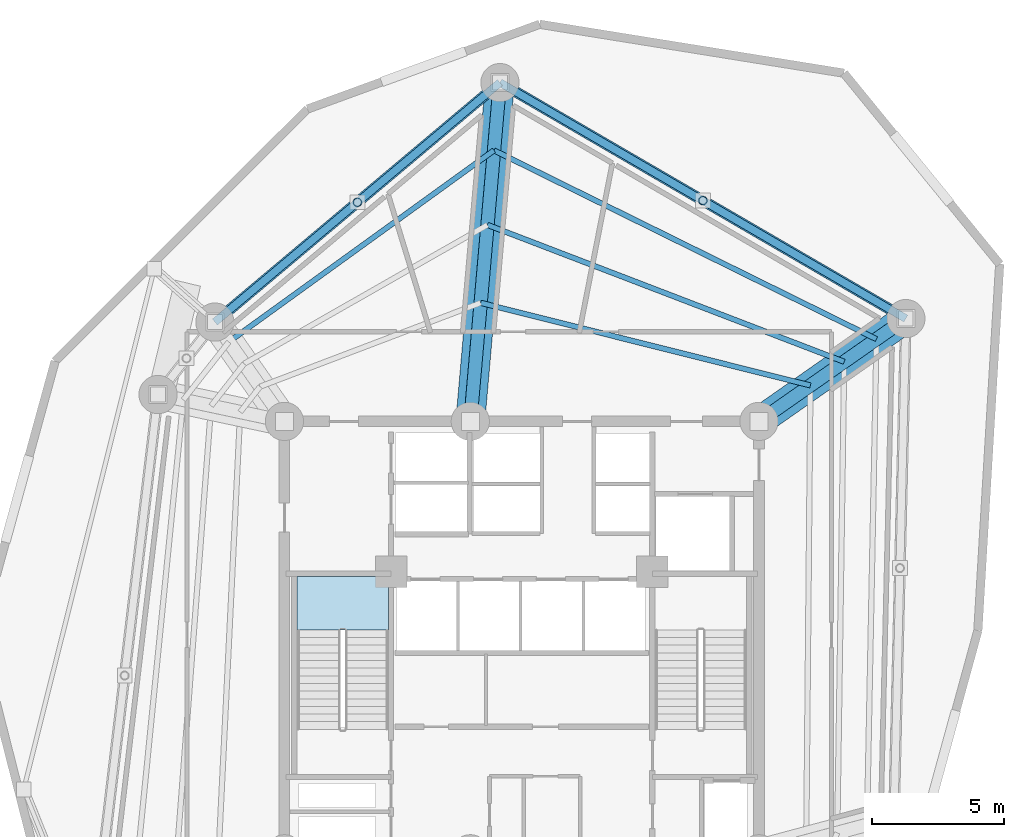
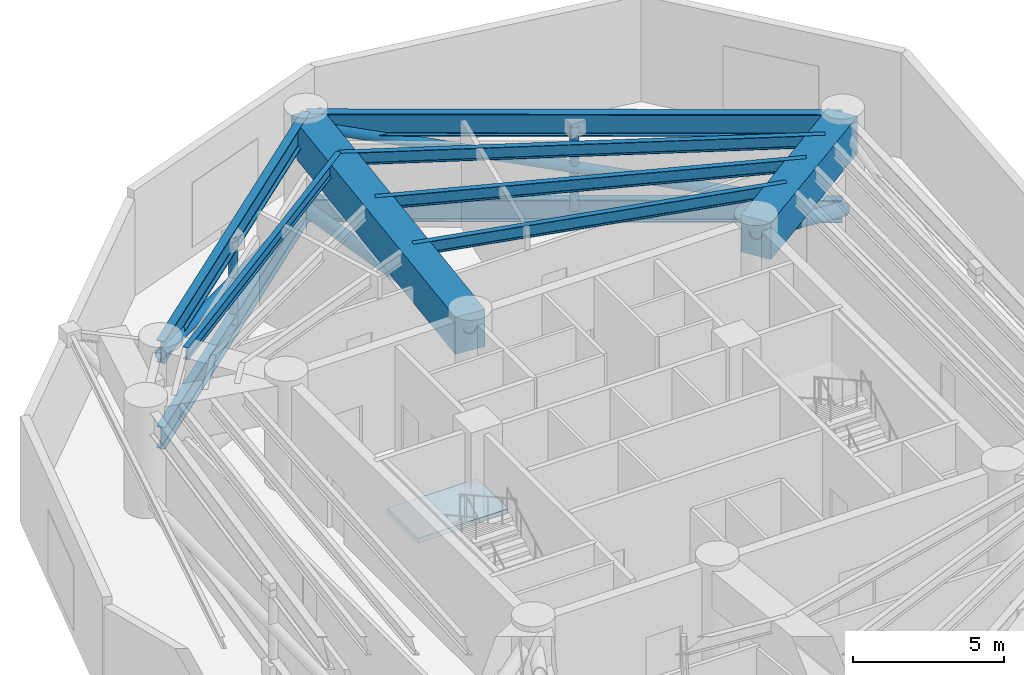
# One storey, part 4 of 11: 8 beams, 8 members, 1 slab, 1 element without a shape of its own.
"""IFC4 building model written with IfcOpenShell, lengths in metres."""

import ifcopenshell
import ifcopenshell.guid

model = None  # the IFC model being written
_history = None  # IfcOwnerHistory: only IFC2X3 demands one
_inside = {}  # id of a spatial element -> (the spatial element, [elements in it])
_under = {}  # id of a project, library or spatial element -> (it, [spatial elements below it])
_declared = {}  # id of a project -> (the project, [libraries it declares])
_typed = {}  # id of a type object -> (the type object, [elements of that type])
_made_of = {}  # id of a material, layer set ... -> (it, [elements and type objects made of it])


def new_model(schema):
    """Start an empty IFC model of exactly this schema.

    Asked for "IFC4X3", IfcOpenShell would pick the latest addendum, in which some entities
    have other attributes; the version numbers below select the first issue.
    IFC2X3 requires an IfcOwnerHistory on every rooted entity: one is made here for all.
    """
    global model, _history
    if schema == "IFC4X3":
        model = ifcopenshell.file(schema_version=(4, 3, 0, 0))
    else:
        model = ifcopenshell.file(schema=schema)
    _inside.clear()
    _under.clear()
    _declared.clear()
    _typed.clear()
    _made_of.clear()
    _history = None
    if model.schema == "IFC2X3":
        org = make("IfcOrganization", Name="unknown")
        user = make(
            "IfcPersonAndOrganization",
            ThePerson=make("IfcPerson", FamilyName="unknown"),
            TheOrganization=org,
        )
        app = make(
            "IfcApplication",
            ApplicationDeveloper=org,
            Version="unknown",
            ApplicationFullName="unknown",
            ApplicationIdentifier="unknown",
        )
        _history = make(
            "IfcOwnerHistory",
            OwningUser=user,
            OwningApplication=app,
            ChangeAction="ADDED",
            CreationDate=0,
        )
    return model


def make(cls, **values):
    """One entity of the class cls with the attributes given. An attribute that is None is left unset."""
    return model.create_entity(
        cls, **{name: value for name, value in values.items() if value is not None}
    )


def rooted(cls, **values):
    """An entity with a GlobalId (a new one), such as an element, a storey or a relation."""
    return make(cls, GlobalId=ifcopenshell.guid.new(), OwnerHistory=_history, **values)


def si_unit(unit_type, name, prefix=None):
    """IfcSIUnit, for example si_unit("LENGTHUNIT", "METRE", prefix="MILLI")."""
    return make("IfcSIUnit", UnitType=unit_type, Prefix=prefix, Name=name)


def assignment(units):
    """IfcUnitAssignment: the units of a project."""
    return None if units is None else make("IfcUnitAssignment", Units=units)


def point(xyz):
    """IfcCartesianPoint."""
    return None if xyz is None else make("IfcCartesianPoint", Coordinates=xyz)


def direction(xyz):
    """IfcDirection."""
    return None if xyz is None else make("IfcDirection", DirectionRatios=xyz)


def frame(location, z_axis=None, x_axis=None):
    """IfcAxis2Placement3D, a coordinate frame: its origin and axes. An axis left out is left unset."""
    return make(
        "IfcAxis2Placement3D",
        Location=point(location),
        Axis=direction(z_axis),
        RefDirection=direction(x_axis),
    )


def frame_2d(location, x_axis=None):
    """IfcAxis2Placement2D, a coordinate frame in the plane: its origin and x axis."""
    return make(
        "IfcAxis2Placement2D", Location=point(location), RefDirection=direction(x_axis)
    )


def origin():
    """The frame at (0, 0, 0) with its axes left unset."""
    return frame((0.0, 0.0, 0.0))


def origin_with_axes():
    """The frame at (0, 0, 0) with the z axis (0, 0, 1) and the x axis (1, 0, 0) written out."""
    return frame((0.0, 0.0, 0.0), z_axis=(0.0, 0.0, 1.0), x_axis=(1.0, 0.0, 0.0))


def origin_2d():
    """The frame at (0, 0) in the plane with its x axis left unset."""
    return frame_2d((0.0, 0.0))


def place(relative_to, where):
    """IfcLocalPlacement: puts the frame where relative to a parent placement (None: the world)."""
    return make(
        "IfcLocalPlacement", PlacementRelTo=relative_to, RelativePlacement=where
    )


def context(
    kind, dimensions, precision=None, world=None, true_north=None, identifier=None
):
    """IfcGeometricRepresentationContext, for example the 3D "Model" context."""
    return make(
        "IfcGeometricRepresentationContext",
        ContextIdentifier=identifier,
        ContextType=kind,
        CoordinateSpaceDimension=dimensions,
        Precision=precision,
        WorldCoordinateSystem=world,
        TrueNorth=true_north,
    )


def subcontext(parent, identifier, kind, view, scale=None):
    """IfcGeometricRepresentationSubContext, for example "Body" below "Model"."""
    return make(
        "IfcGeometricRepresentationSubContext",
        ContextIdentifier=identifier,
        ContextType=kind,
        ParentContext=parent,
        TargetScale=scale,
        TargetView=view,
    )


def project(units=None, contexts=None):
    """IfcProject with its units and contexts."""
    return rooted(
        "IfcProject",
        Name="project",
        RepresentationContexts=contexts,
        UnitsInContext=assignment(units),
    )


def spatial(cls, under=None, at=None, **own):
    """A site, building, storey or space (cls), placed at a placement, below another one or the project."""
    s = rooted(cls, ObjectPlacement=at, **own)
    if under is not None:
        _under.setdefault(under.id(), (under, []))[1].append(s)
    return s


def polyline(points):
    """IfcPolyline through the points."""
    return make("IfcPolyline", Points=[point(p) for p in points])


def profile(cls, at=None, kind="AREA", **sizes):
    """A parametric profile (cls). Its sizes go by their IFC names, for example OverallWidth=200.0."""
    return make(cls, ProfileType=kind, Position=at, **sizes)


def rectangle(**sizes):
    """IfcRectangleProfileDef."""
    return profile("IfcRectangleProfileDef", **sizes)


def hollow_circle(**sizes):
    """IfcCircleHollowProfileDef."""
    return profile("IfcCircleHollowProfileDef", **sizes)


def i_section(**sizes):
    """IfcIShapeProfileDef."""
    return profile("IfcIShapeProfileDef", **sizes)


def outline(outer, holes=None, kind="AREA"):
    """IfcArbitraryClosedProfileDef: a profile drawn as a closed curve; with holes, ...WithVoids."""
    if holes is None:
        return make("IfcArbitraryClosedProfileDef", ProfileType=kind, OuterCurve=outer)
    return make(
        "IfcArbitraryProfileDefWithVoids",
        ProfileType=kind,
        OuterCurve=outer,
        InnerCurves=holes,
    )


def extrude(swept, where, along, depth):
    """IfcExtrudedAreaSolid: the profile swept, set in the frame where, extruded along a direction by depth."""
    return make(
        "IfcExtrudedAreaSolid",
        SweptArea=swept,
        Position=where,
        ExtrudedDirection=direction(along),
        Depth=depth,
    )


def shape(context_of_items, identifier, shape_type, items):
    """IfcShapeRepresentation: the items that make up one representation, for example the "Body"."""
    return make(
        "IfcShapeRepresentation",
        ContextOfItems=context_of_items,
        RepresentationIdentifier=identifier,
        RepresentationType=shape_type,
        Items=items,
    )


def source(mapping_origin, context_of_items, identifier, shape_type, items):
    """IfcRepresentationMap: a shape defined once, which mapped items show again and again."""
    return make(
        "IfcRepresentationMap",
        MappingOrigin=mapping_origin,
        MappedRepresentation=shape(context_of_items, identifier, shape_type, items),
    )


def transform(
    local_origin,
    x_axis=None,
    y_axis=None,
    z_axis=None,
    scale=None,
    scale2=None,
    scale3=None,
    uniform=True,
):
    """IfcCartesianTransformationOperator3D, or its non-uniform kind. x_axis, y_axis, z_axis: its Axis1, 2, 3."""
    if uniform:
        return make(
            "IfcCartesianTransformationOperator3D",
            Axis1=direction(x_axis),
            Axis2=direction(y_axis),
            LocalOrigin=point(local_origin),
            Scale=scale,
            Axis3=direction(z_axis),
        )
    return make(
        "IfcCartesianTransformationOperator3DnonUniform",
        Axis1=direction(x_axis),
        Axis2=direction(y_axis),
        LocalOrigin=point(local_origin),
        Scale=scale,
        Axis3=direction(z_axis),
        Scale2=scale2,
        Scale3=scale3,
    )


def mapped(mapping_source, mapping_target):
    """IfcMappedItem: shows the shape of a source again, moved by a transform."""
    return make(
        "IfcMappedItem", MappingSource=mapping_source, MappingTarget=mapping_target
    )


def material(Name=None, Category=None):
    """IfcMaterial."""
    return make("IfcMaterial", Name=Name, Category=Category)


def layer(
    of_material, thickness, ventilated=None, Name=None, Category=None, Priority=None
):
    """IfcMaterialLayer: one layer of a wall or slab, of a material (None: an air gap)."""
    return make(
        "IfcMaterialLayer",
        Material=of_material,
        LayerThickness=thickness,
        IsVentilated=ventilated,
        Name=Name,
        Category=Category,
        Priority=Priority,
    )


def layer_set(layers, Name=None):
    """IfcMaterialLayerSet."""
    return make("IfcMaterialLayerSet", MaterialLayers=layers, LayerSetName=Name)


def material_profile(
    of_material, cross_section, Name=None, Category=None, Priority=None
):
    """IfcMaterialProfile: a cross section and its material."""
    return make(
        "IfcMaterialProfile",
        Name=Name,
        Material=of_material,
        Profile=cross_section,
        Priority=Priority,
        Category=Category,
    )


def profile_set(profiles, Name=None, composite=None):
    """IfcMaterialProfileSet."""
    return make(
        "IfcMaterialProfileSet",
        Name=Name,
        MaterialProfiles=profiles,
        CompositeProfile=composite,
    )


def made_of(thing, what):
    """Note that an element or type object is made of a material, layer set ...; save() writes the relation."""
    if what is not None:
        _made_of.setdefault(what.id(), (what, []))[1].append(thing)
    return thing


def type_object(cls, material=None, **own):
    """A type object (cls), such as IfcWallType, which elements share."""
    return made_of(rooted(cls, **own), material)


def element(
    cls,
    number,
    at=None,
    inside=None,
    cuts=None,
    type_object=None,
    material=None,
    context=None,
    identifier="Body",
    shape_type=None,
    held_by="IfcProductDefinitionShape",
    body=None,
    shapes=None,
    **own,
):
    """One element of the class cls, such as IfcWall. Its Tag is "e" and its number.

    at: its placement. inside: the storey or other place that contains it. cuts: it is an
    opening in that element (IfcRelVoidsElement). A single representation is given by context,
    identifier, shape_type and body (its items); several are given by shapes. held_by: the class
    of the entity that holds the representations. save() writes the other relations.
    """
    e = rooted(cls, Tag="e%d" % number, ObjectPlacement=at, **own)
    if body is not None:
        shapes = [shape(context, identifier, shape_type, body)]
    if shapes is not None:
        e.Representation = make(held_by, Representations=shapes)
    if inside is not None:
        _inside.setdefault(inside.id(), (inside, []))[1].append(e)
    if cuts is not None:
        rooted(
            "IfcRelVoidsElement", RelatingBuildingElement=cuts, RelatedOpeningElement=e
        )
    if type_object is not None:
        _typed.setdefault(type_object.id(), (type_object, []))[1].append(e)
    return made_of(e, material)


def aggregate(whole, parts):
    """IfcRelAggregates: a whole, such as a stair, and the parts it consists of."""
    return rooted("IfcRelAggregates", RelatingObject=whole, RelatedObjects=parts)


def save(model, path):
    """Write the relations noted so far, then the file.

    IfcRelAggregates (storeys below a building ...), IfcRelContainedInSpatialStructure (elements
    in a storey), IfcRelDefinesByType, IfcRelAssociatesMaterial and IfcRelDeclares: one each for
    every whole, place, type object, material and project.
    """
    for whole, parts in _under.values():
        aggregate(whole, parts)
    for where, things in _inside.values():
        rooted(
            "IfcRelContainedInSpatialStructure",
            RelatedElements=things,
            RelatingStructure=where,
        )
    for kind, things in _typed.values():
        rooted("IfcRelDefinesByType", RelatedObjects=things, RelatingType=kind)
    for what, things in _made_of.values():
        rooted("IfcRelAssociatesMaterial", RelatedObjects=things, RelatingMaterial=what)
    for by, libraries in _declared.values():
        rooted("IfcRelDeclares", RelatingContext=by, RelatedDefinitions=libraries)
    model.write(path)


model = new_model("IFC4")

# Units and contexts
model_context = context("Model", 3, precision=1e-05, world=origin(), true_north=direction((0.0, 1.0)))
body_context = subcontext(model_context, "Body", "Model", "MODEL_VIEW")
ifc_project = project(units=[si_unit("LENGTHUNIT", "METRE"), si_unit("AREAUNIT", "SQUARE_METRE"), si_unit("VOLUMEUNIT", "CUBIC_METRE"), si_unit("PLANEANGLEUNIT", "RADIAN"), si_unit("MASSUNIT", "GRAM", prefix="KILO")], contexts=[model_context])

# Site, building, storey
site_placement = place(None, origin())
site = spatial("IfcSite", under=ifc_project, at=site_placement, CompositionType="ELEMENT")
building_placement = place(site_placement, origin())
building = spatial("IfcBuilding", under=site, at=building_placement, Name="Karkom Vertical University and Central Library", CompositionType="ELEMENT")
storey_placement = place(building_placement, frame((0.0, 0.0, 148.050048828125)))
storey = spatial("IfcBuildingStorey", under=building, at=storey_placement, Name="P42", CompositionType="ELEMENT", Elevation=148.050048828125)

# Members
ifc_material_1 = material(Name="Steel S355", Category="steel")
ifc_material_profile_1 = material_profile(ifc_material_1, hollow_circle(Radius=0.161865234375, WallThickness=0.01611328125, at=origin_2d()), Name="CHS 323.9x16")
ifc_profile_set_1 = profile_set([ifc_material_profile_1], Name="Steel S355")
member_type_1 = type_object("IfcMemberType", Name="STR-MEM-PT-1", PredefinedType="POST", material=ifc_profile_set_1)
shared_shape_1 = source(origin_with_axes(), body_context, "Body", "SweptSolid", [
    extrude(hollow_circle(Radius=0.161865234375, WallThickness=0.01611328125, at=origin_2d()), origin(), (0.0, 0.0, 1.0), 3.375),
])
for number, where, z_axis, x_axis, name in (
    (1, (35.3720703125, 43.075439453125, 0.349853515625), (0.0, 0.0, 1.0), (1.0, 0.0, 0.0), "Plant Level 42 Belt Truss Web Post 02"),
    (2, (22.26806640625, 43.009521484375, 0.349853515625), (0.0, 0.0, 1.0), (1.0, 0.0, 0.0), "Plant Level 42 Belt Truss Web Post 03"),
):
    element("IfcMember", number, at=place(storey_placement, frame(where, z_axis=z_axis, x_axis=x_axis)), inside=storey, type_object=member_type_1, Name=name, PredefinedType="POST", context=body_context, shape_type="MappedRepresentation", body=[
        mapped(shared_shape_1, transform((0.0, 0.0, 0.0), scale=1.0)),
    ])

# Beams
ifc_material_profile_2 = material_profile(ifc_material_1, i_section(OverallWidth=0.199951171875, OverallDepth=0.5, WebThickness=0.01025390625, FlangeThickness=0.01611328125, FilletRadius=0.02099609375, at=origin_2d()), Name="IPE 500")
ifc_profile_set_2 = profile_set([ifc_material_profile_2], Name="Steel S355")
beam_type_1 = type_object("IfcBeamType", Name="STR-BM-SB-IPE500", PredefinedType="BEAM", material=ifc_profile_set_2)
shared_shape_2 = source(origin_with_axes(), body_context, "Body", "SweptSolid", [
    extrude(i_section(OverallWidth=0.199951171875, OverallDepth=0.5, WebThickness=0.01025390625, FlangeThickness=0.01611328125, FilletRadius=0.02099609375, at=origin_2d()), origin(), (0.0, 0.0, 1.0), 12.892578125),
])
beam_1_placement = place(storey_placement, frame((39.449462890625, 36.06494140625, 4.02490234375), z_axis=(-0.970023194321, 0.243012350468, 0.0), x_axis=(-0.243012350468, -0.970023194321, 0.0)))
element("IfcBeam", 3, at=beam_1_placement, inside=storey, type_object=beam_type_1, Name="Plant Level 42 Secondary Composite Floor Beam 1.02", PredefinedType="BEAM", context=body_context, shape_type="MappedRepresentation", body=[
    mapped(shared_shape_2, transform((0.0, 0.0, 0.0), scale=1.0)),
])
shared_shape_3 = source(origin_with_axes(), body_context, "Body", "SweptSolid", [
    extrude(i_section(OverallWidth=0.199951171875, OverallDepth=0.5, WebThickness=0.01025390625, FlangeThickness=0.01611328125, FilletRadius=0.02099609375, at=origin_2d()), origin(), (0.0, 0.0, 1.0), 14.49072265625),
])
beam_2_placement = place(storey_placement, frame((40.730712890625, 36.9619140625, 4.02490234375), z_axis=(-0.93361673171, 0.35827335691, 0.0), x_axis=(-0.35827335691, -0.93361673171, 0.0)))
element("IfcBeam", 4, at=beam_2_placement, inside=storey, type_object=beam_type_1, Name="Plant Level 42 Secondary Composite Floor Beam 2.02", PredefinedType="BEAM", context=body_context, shape_type="MappedRepresentation", body=[
    mapped(shared_shape_3, transform((0.0, 0.0, 0.0), scale=1.0)),
])
shared_shape_4 = source(origin_with_axes(), body_context, "Body", "SweptSolid", [
    extrude(i_section(OverallWidth=0.199951171875, OverallDepth=0.5, WebThickness=0.01025390625, FlangeThickness=0.01611328125, FilletRadius=0.02099609375, at=origin_2d()), origin(), (0.0, 0.0, 1.0), 16.177978515625),
])
beam_3_placement = place(storey_placement, frame((41.9560546875, 37.820068359375, 4.02490234375), z_axis=(-0.896709262653, 0.442620038263, 0.0), x_axis=(-0.442620038263, -0.896709262653, 0.0)))
element("IfcBeam", 5, at=beam_3_placement, inside=storey, type_object=beam_type_1, Name="Plant Level 42 Secondary Composite Floor Beam 3.02", PredefinedType="BEAM", context=body_context, shape_type="MappedRepresentation", body=[
    mapped(shared_shape_4, transform((0.0, 0.0, 0.0), scale=1.0)),
])
shared_shape_5 = source(origin_with_axes(), body_context, "Body", "SweptSolid", [
    extrude(i_section(OverallWidth=0.199951171875, OverallDepth=0.5, WebThickness=0.01025390625, FlangeThickness=0.01611328125, FilletRadius=0.02099609375, at=origin_2d()), origin(), (0.0, 0.0, 1.0), 12.409423828125),
])
beam_4_placement = place(storey_placement, frame((27.44921875, 44.980712890625, 4.02490234375), z_axis=(-0.810636686292, -0.585549453793, 0.0), x_axis=(0.585549453793, -0.810636686292, 0.0)))
element("IfcBeam", 6, at=beam_4_placement, inside=storey, type_object=beam_type_1, Name="Plant Level 42 Secondary Composite Floor Beam 3.03", PredefinedType="BEAM", context=body_context, shape_type="MappedRepresentation", body=[
    mapped(shared_shape_5, transform((0.0, 0.0, 0.0), scale=1.0)),
])
ifc_material_2 = material(Name="Concrete C50/60", Category="concrete")
ifc_material_profile_3 = material_profile(ifc_material_2, rectangle(XDim=1.10009765625, YDim=1.5, at=origin_2d()), Name="TG-1100x1500")
ifc_profile_set_3 = profile_set([ifc_material_profile_3], Name="Concrete C50/60")
beam_type_2 = type_object("IfcBeamType", Name="STR-BM-TG-1", PredefinedType="USERDEFINED", material=ifc_profile_set_3)
shared_shape_6 = source(origin_with_axes(), body_context, "Body", "SweptSolid", [
    extrude(rectangle(XDim=1.10009765625, YDim=1.5, at=origin_2d()), origin(), (0.0, 0.0, 1.0), 6.7998046875),
])
beam_5_placement = place(storey_placement, frame((37.5, 34.699951171875, 3.52490234375), z_axis=(0.819156008334, 0.573570775066, 0.0), x_axis=(-0.573570775066, 0.819156008334, 0.0)))
element("IfcBeam", 7, at=beam_5_placement, inside=storey, type_object=beam_type_2, Name="Plant Level 42 Radial Frame Girder 02", ObjectType="GIRDER", PredefinedType="USERDEFINED", context=body_context, shape_type="MappedRepresentation", body=[
    mapped(shared_shape_6, transform((0.0, 0.0, 0.0), scale=1.0)),
])
shared_shape_7 = source(origin_with_axes(), body_context, "Body", "SweptSolid", [
    extrude(rectangle(XDim=1.10009765625, YDim=1.5, at=origin_2d()), origin(), (0.0, 0.0, 1.0), 12.900146484375),
])
beam_6_placement = place(storey_placement, frame((26.550048828125, 34.699951171875, 3.52490234375), z_axis=(0.087132673751, 0.996196716098, 0.0), x_axis=(-0.996196716098, 0.087132673751, 0.0)))
element("IfcBeam", 8, at=beam_6_placement, inside=storey, type_object=beam_type_2, Name="Plant Level 42 Radial Frame Girder 03", ObjectType="GIRDER", PredefinedType="USERDEFINED", context=body_context, shape_type="MappedRepresentation", body=[
    mapped(shared_shape_7, transform((0.0, 0.0, 0.0), scale=1.0)),
])
ifc_material_3 = material(Name="Steel S460", Category="steel")
ifc_material_profile_4 = material_profile(ifc_material_3, i_section(OverallWidth=0.300048828125, OverallDepth=0.89990234375, WebThickness=0.0185546875, FlangeThickness=0.034912109375, FilletRadius=0.030029296875, at=origin_2d()), Name="HE 900 B")
ifc_profile_set_4 = profile_set([ifc_material_profile_4], Name="Steel S460")
beam_type_3 = type_object("IfcBeamType", Name="STR-BM-SB-HE900", PredefinedType="USERDEFINED", material=ifc_profile_set_4)
shared_shape_8 = source(origin_with_axes(), body_context, "Body", "SweptSolid", [
    extrude(i_section(OverallWidth=0.300048828125, OverallDepth=0.89990234375, WebThickness=0.0185546875, FlangeThickness=0.034912109375, FilletRadius=0.030029296875, at=origin_2d()), origin(), (0.0, 0.0, 1.0), 17.808837890625),
])
beam_7_placement = place(storey_placement, frame((43.070068359375, 38.60009765625, 3.824951171875), z_axis=(-0.864512866362, 0.502610688202, 0.0), x_axis=(-0.502610688202, -0.864512866362, 0.0)))
element("IfcBeam", 9, at=beam_7_placement, inside=storey, type_object=beam_type_3, Name="Plant Level 42 Perimeter Spandrel Beam 02", ObjectType="GIRDER", PredefinedType="USERDEFINED", context=body_context, shape_type="MappedRepresentation", body=[
    mapped(shared_shape_8, transform((0.0, 0.0, 0.0), scale=1.0)),
])
shared_shape_9 = source(origin_with_axes(), body_context, "Body", "SweptSolid", [
    extrude(i_section(OverallWidth=0.300048828125, OverallDepth=0.89990234375, WebThickness=0.0185546875, FlangeThickness=0.034912109375, FilletRadius=0.030029296875, at=origin_2d()), origin(), (0.0, 0.0, 1.0), 14.120849609375),
])
beam_8_placement = place(storey_placement, frame((27.674072265625, 47.551025390625, 3.824951171875), z_axis=(-0.765672847866, -0.643230199883, 0.0), x_axis=(0.643230199883, -0.765672847866, 0.0)))
element("IfcBeam", 10, at=beam_8_placement, inside=storey, type_object=beam_type_3, Name="Plant Level 42 Perimeter Spandrel Beam 03", ObjectType="GIRDER", PredefinedType="USERDEFINED", context=body_context, shape_type="MappedRepresentation", body=[
    mapped(shared_shape_9, transform((0.0, 0.0, 0.0), scale=1.0)),
])

# Members
ifc_material_profile_5 = material_profile(ifc_material_1, hollow_circle(Radius=0.203125, WallThickness=0.02001953125, at=origin_2d()), Name="CHS 406.4x20")
ifc_profile_set_5 = profile_set([ifc_material_profile_5], Name="Steel S355")
member_type_2 = type_object("IfcMemberType", Name="STR-MEM-BR-2", PredefinedType="BRACE", material=ifc_profile_set_5)
shared_shape_10 = source(origin_with_axes(), body_context, "Body", "SweptSolid", [
    extrude(hollow_circle(Radius=0.203125, WallThickness=0.02001953125, at=origin_2d()), origin(), (0.0, 0.0, 1.0), 18.125732421875),
])
member_1_placement = place(storey_placement, frame((43.070068359375, 38.60009765625, 0.349853515625), z_axis=(-0.849394446754, 0.493821137949, 0.18619816739), x_axis=(-0.502610688202, -0.864512866362, 0.0)))
element("IfcMember", 11, at=member_1_placement, inside=storey, type_object=member_type_2, Name="Plant Level 42 Belt Truss Diagonal Brace 02", PredefinedType="BRACE", context=body_context, shape_type="MappedRepresentation", body=[
    mapped(shared_shape_10, transform((0.0, 0.0, 0.0), scale=1.0)),
])
ifc_material_profile_6 = material_profile(ifc_material_3, i_section(OverallWidth=0.300048828125, OverallDepth=0.89990234375, WebThickness=0.0185546875, FlangeThickness=0.034912109375, FilletRadius=0.030029296875, at=origin_2d()), Name="HE 900 B")
ifc_profile_set_6 = profile_set([ifc_material_profile_6], Name="Steel S460")
member_type_3 = type_object("IfcMemberType", Name="STR-MEM-CH-1", PredefinedType="CHORD", material=ifc_profile_set_6)
shared_shape_11 = source(origin_with_axes(), body_context, "Body", "SweptSolid", [
    extrude(i_section(OverallWidth=0.300048828125, OverallDepth=0.89990234375, WebThickness=0.0185546875, FlangeThickness=0.034912109375, FilletRadius=0.030029296875, at=origin_2d()), origin(), (0.0, 0.0, 1.0), 17.808837890625),
])
member_2_placement = place(storey_placement, frame((43.070068359375, 38.60009765625, 0.349853515625), z_axis=(-0.864512866362, 0.502610688202, 0.0), x_axis=(-0.502610688202, -0.864512866362, 0.0)))
element("IfcMember", 12, at=member_2_placement, inside=storey, type_object=member_type_3, Name="Plant Level 42 Belt Truss Bottom Chord 02", PredefinedType="CHORD", context=body_context, shape_type="MappedRepresentation", body=[
    mapped(shared_shape_11, transform((0.0, 0.0, 0.0), scale=1.0)),
])
shared_shape_12 = source(origin_with_axes(), body_context, "Body", "SweptSolid", [
    extrude(hollow_circle(Radius=0.203125, WallThickness=0.02001953125, at=origin_2d()), origin(), (0.0, 0.0, 1.0), 14.5185546875),
])
member_3_placement = place(storey_placement, frame((27.674072265625, 47.551025390625, 0.349853515625), z_axis=(-0.744698046666, -0.625609586058, 0.232459598905), x_axis=(0.643230199883, -0.765672847866, 0.0)))
element("IfcMember", 13, at=member_3_placement, inside=storey, type_object=member_type_2, Name="Plant Level 42 Belt Truss Diagonal Brace 03", PredefinedType="BRACE", context=body_context, shape_type="MappedRepresentation", body=[
    mapped(shared_shape_12, transform((0.0, 0.0, 0.0), scale=1.0)),
])
shared_shape_13 = source(origin_with_axes(), body_context, "Body", "SweptSolid", [
    extrude(i_section(OverallWidth=0.300048828125, OverallDepth=0.89990234375, WebThickness=0.0185546875, FlangeThickness=0.034912109375, FilletRadius=0.030029296875, at=origin_2d()), origin(), (0.0, 0.0, 1.0), 14.120849609375),
])
member_4_placement = place(storey_placement, frame((27.674072265625, 47.551025390625, 0.349853515625), z_axis=(-0.765672847866, -0.643230199883, 0.0), x_axis=(0.643230199883, -0.765672847866, 0.0)))
element("IfcMember", 14, at=member_4_placement, inside=storey, type_object=member_type_3, Name="Plant Level 42 Belt Truss Bottom Chord 03", PredefinedType="CHORD", context=body_context, shape_type="MappedRepresentation", body=[
    mapped(shared_shape_13, transform((0.0, 0.0, 0.0), scale=1.0)),
])
ifc_material_profile_7 = material_profile(ifc_material_3, hollow_circle(Radius=0.25390625, WallThickness=0.02490234375, at=origin_2d()), Name="CHS 508x25")
ifc_profile_set_7 = profile_set([ifc_material_profile_7], Name="Steel S460")
member_type_4 = type_object("IfcMemberType", Name="STR-MEM-BR-1", PredefinedType="BRACE", material=ifc_profile_set_7)
shared_shape_14 = source(origin_with_axes(), body_context, "Body", "SweptSolid", [
    extrude(hollow_circle(Radius=0.25390625, WallThickness=0.02490234375, at=origin_2d()), origin(), (0.0, 0.0, 1.0), 7.59130859375),
])
member_5_placement = place(storey_placement, frame((37.5, 34.699951171875, 3.724853515625), z_axis=(0.733746263195, 0.513767107366, -0.444589451782), x_axis=(-0.573570775066, 0.819156008334, 0.0)))
element("IfcMember", 15, at=member_5_placement, inside=storey, type_object=member_type_4, Name="Plant Level 42 Outrigger Truss Diagonal 02", PredefinedType="BRACE", context=body_context, shape_type="MappedRepresentation", body=[
    mapped(shared_shape_14, transform((0.0, 0.0, 0.0), scale=1.0)),
])
shared_shape_15 = source(origin_with_axes(), body_context, "Body", "SweptSolid", [
    extrude(hollow_circle(Radius=0.25390625, WallThickness=0.02490234375, at=origin_2d()), origin(), (0.0, 0.0, 1.0), 13.334228515625),
])
member_6_placement = place(storey_placement, frame((26.550048828125, 34.699951171875, 3.724853515625), z_axis=(0.084295502782, 0.963759052002, -0.253106218604), x_axis=(-0.996196716098, 0.087132673751, 0.0)))
element("IfcMember", 16, at=member_6_placement, inside=storey, type_object=member_type_4, Name="Plant Level 42 Outrigger Truss Diagonal 03", PredefinedType="BRACE", context=body_context, shape_type="MappedRepresentation", body=[
    mapped(shared_shape_15, transform((0.0, 0.0, 0.0), scale=1.0)),
])

# Stair, slab
ifc_material_4 = material(Name="Concrete C45/55", Category="concrete")
stair_type = type_object("IfcStairType", Name="INT-STR-ST-MAIN", PredefinedType="HALF_TURN_STAIR", material=ifc_material_4)
stair_placement = place(storey_placement, origin())
stair = element("IfcStair", 17, at=stair_placement, inside=storey, type_object=stair_type, Name="Plant Level 42 Tower Protected Exit Stair ST-1", PredefinedType="HALF_TURN_STAIR")
ifc_layer = layer(ifc_material_4, 0.199951171875)
ifc_layer_set = layer_set([ifc_layer], Name="Concrete C45/55")
slab_type = type_object("IfcSlabType", Name="INT-SLB-LANDING", PredefinedType="LANDING", material=ifc_layer_set)
slab_placement = place(storey_placement, frame((0.0, 0.0, 2.050048828125)))
slab = element("IfcSlab", 18, at=slab_placement, type_object=slab_type, Name="ST-1 landing 1", PredefinedType="LANDING", context=body_context, shape_type="SweptSolid", body=[
    extrude(outline(polyline([(23.43994140625, 26.7900390625), (23.43994140625, 28.820068359375), (19.97998046875, 28.820068359375), (19.97998046875, 26.7900390625), (23.43994140625, 26.7900390625)])), origin(), (0.0, 0.0, 1.0), 0.199951171875),
])
aggregate(stair, [slab])

save(model, "model.ifc")
